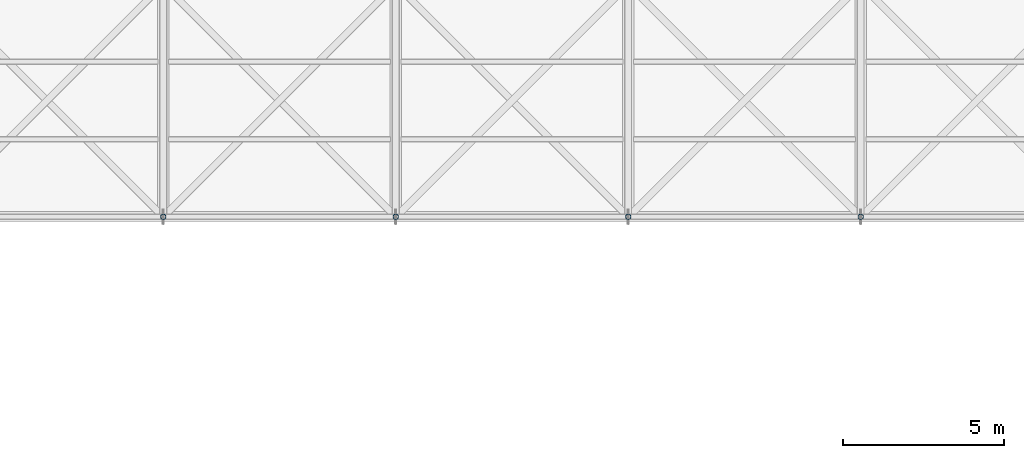
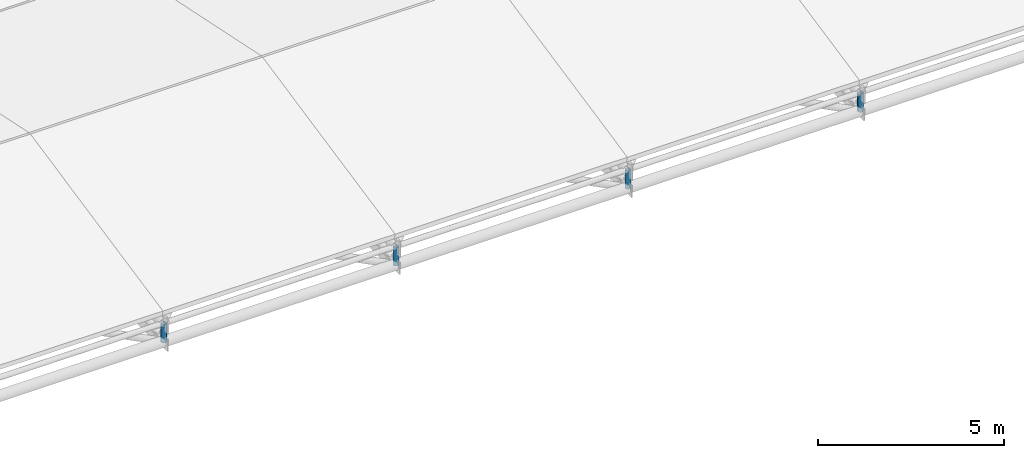
# One storey, part 47 of 72: 4 members.
"""IFC4 building model written with IfcOpenShell, lengths in metres."""

from ifc_helpers import new_model, si_unit, direction, frame, origin, origin_2d, place, context, subcontext, project, spatial, hollow_circle, extrude, material, material_profile, profile_set, type_object, element, save


model = new_model("IFC4")

# Units and contexts
model_context = context("Model", 3, precision=1e-05, world=origin(), true_north=direction((0.0, 1.0)))
body_context = subcontext(model_context, "Body", "Model", "MODEL_VIEW")
ifc_project = project(units=[si_unit("LENGTHUNIT", "METRE"), si_unit("AREAUNIT", "SQUARE_METRE"), si_unit("VOLUMEUNIT", "CUBIC_METRE"), si_unit("PLANEANGLEUNIT", "RADIAN"), si_unit("MASSUNIT", "GRAM", prefix="KILO")], contexts=[model_context])

# Site, building, storey
site_placement = place(None, origin())
site = spatial("IfcSite", under=ifc_project, at=site_placement, CompositionType="ELEMENT")
building_placement = place(site_placement, origin())
building = spatial("IfcBuilding", under=site, at=building_placement, Name="Vaelcorin Mobility Hub", CompositionType="ELEMENT")
storey_placement = place(building_placement, frame((0.0, 0.0, 25.800048828125)))
storey = spatial("IfcBuildingStorey", under=building, at=storey_placement, Name="RF", CompositionType="ELEMENT", Elevation=25.800048828125)

# Members
ifc_material = material(Name="Steel ASTM A500 Grade C", Category="steel")
ifc_material_profile = material_profile(ifc_material, hollow_circle(Radius=0.084228515625, WallThickness=0.0078125, at=origin_2d()), Name="HSS6.625X0.312")
ifc_profile_set = profile_set([ifc_material_profile], Name="Steel ASTM A500 Grade C")
member_type = type_object("IfcMemberType", Name="TR-POST-6", PredefinedType="POST", material=ifc_profile_set)
for number, where, z_axis, x_axis, name in (
    (1, (72.0, 84.0, -2.10009765625), (0.0, 0.0, 1.0), (1.0, 0.0, 0.0), "Sports Pavilion Roof Truss Post 5-0"),
    (2, (79.199951171875, 84.0, -2.10009765625), (0.0, 0.0, 1.0), (1.0, 0.0, 0.0), "Sports Pavilion Roof Truss Post 6-0"),
    (3, (86.39990234375, 84.0, -2.10009765625), (0.0, 0.0, 1.0), (1.0, 0.0, 0.0), "Sports Pavilion Roof Truss Post 7-0"),
    (4, (93.60009765625, 84.0, -2.10009765625), (0.0, 0.0, 1.0), (1.0, 0.0, 0.0), "Sports Pavilion Roof Truss Post 8-0"),
):
    element("IfcMember", number, at=place(storey_placement, frame(where, z_axis=z_axis, x_axis=x_axis)), inside=storey, type_object=member_type, Name=name, PredefinedType="POST", context=body_context, shape_type="SweptSolid", body=[
        extrude(hollow_circle(Radius=0.084228515625, WallThickness=0.0078125, at=origin_2d()), origin(), (0.0, 0.0, 1.0), 0.60009765625),
    ])

save(model, "model.ifc")
